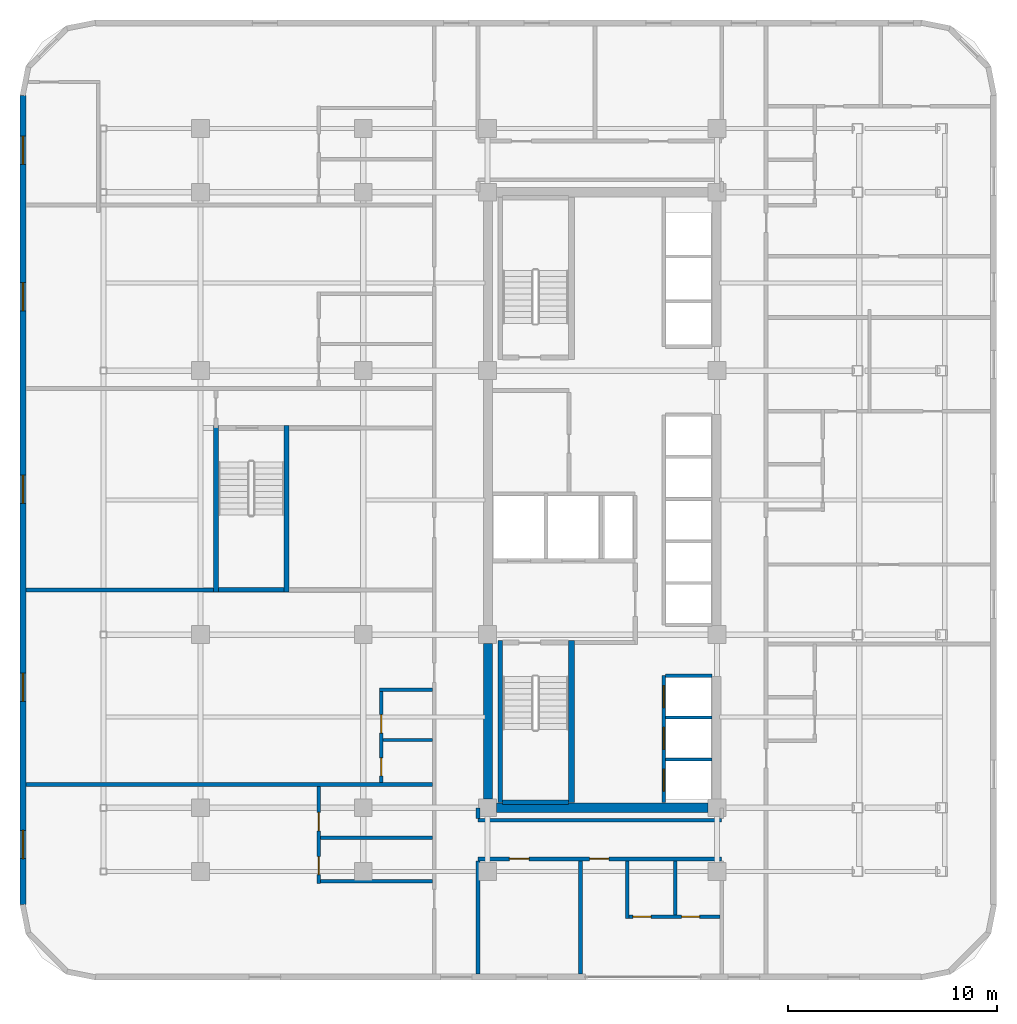
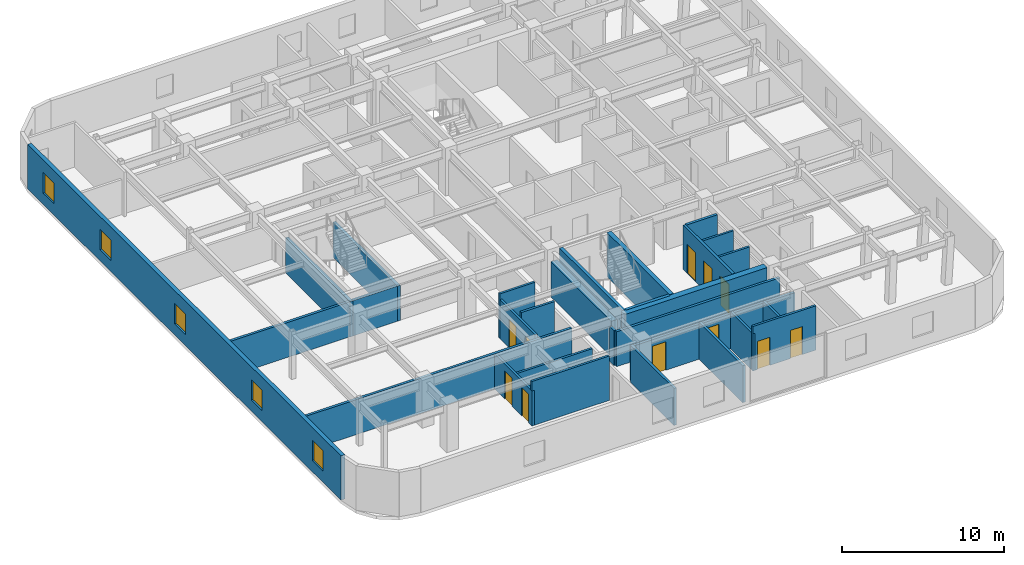
# One storey, part 8 of 13: 29 walls, 11 doors, 5 windows, 16 openings.
"""IFC4 building model written with IfcOpenShell, lengths in metres."""

from ifc_helpers import new_model, si_unit, direction, frame, frame_2d, origin, place, context, subcontext, project, spatial, rectangle, extrude, material, layer, layer_set, type_object, element, fill, save


model = new_model("IFC4")

# Units and contexts
model_context = context("Model", 3, precision=1e-05, world=origin(), true_north=direction((0.0, 1.0)))
body_context = subcontext(model_context, "Body", "Model", "MODEL_VIEW")
ifc_project = project(units=[si_unit("LENGTHUNIT", "METRE"), si_unit("AREAUNIT", "SQUARE_METRE"), si_unit("VOLUMEUNIT", "CUBIC_METRE"), si_unit("PLANEANGLEUNIT", "RADIAN"), si_unit("MASSUNIT", "GRAM", prefix="KILO")], contexts=[model_context])

# Site, building, storey
site_placement = place(None, origin())
site = spatial("IfcSite", under=ifc_project, at=site_placement, CompositionType="ELEMENT")
building_placement = place(site_placement, origin())
building = spatial("IfcBuilding", under=site, at=building_placement, Name="Ochreholt Gables", CompositionType="ELEMENT")
storey_placement = place(building_placement, frame((0.0, 0.0, 56.39990234375)))
storey = spatial("IfcBuildingStorey", under=building, at=storey_placement, Name="L14", CompositionType="ELEMENT", Elevation=56.39990234375)

# Walls
ifc_material_1 = material(Name="Concrete 60 MPa", Category="concrete")
ifc_layer_1 = layer(ifc_material_1, 0.449951171875, Name="Concrete 60 MPa")
ifc_layer_set_1 = layer_set([ifc_layer_1], Name="Concrete 60 MPa")
wall_type_1 = type_object("IfcWallType", Name="WALL-CSW-450", PredefinedType="SHEAR", material=ifc_layer_set_1)
wall_1_placement = place(storey_placement, frame((24.22509765625, 9.675048828125, 0.0), z_axis=(0.0, 0.0, 1.0), x_axis=(0.0, 1.0, 0.0)))
element("IfcWall", 1, at=wall_1_placement, inside=storey, type_object=wall_type_1, Name="L14 Core West Shear Wall WS", PredefinedType="SHEAR", context=body_context, shape_type="SweptSolid", body=[
    extrude(rectangle(XDim=7.449951171875, YDim=0.449951171875, at=frame_2d((3.72509765625, 0.0))), origin(), (0.0, 0.0, 1.0), 2.656982421875),
])
wall_2_placement = place(storey_placement, frame((24.625, 9.25, 0.0), z_axis=(0.0, 0.0, 1.0), x_axis=(1.0, 0.0, 0.0)))
element("IfcWall", 2, at=wall_2_placement, inside=storey, type_object=wall_type_1, Name="L14 Core South Shear Wall", PredefinedType="SHEAR", context=body_context, shape_type="SweptSolid", body=[
    extrude(rectangle(XDim=10.14990234375, YDim=0.449951171875, at=frame_2d((5.074951171875, 0.0))), origin(), (0.0, 0.0, 1.0), 3.35009765625),
])

# Wall, openings, windows
ifc_material_2 = material(Name="Precast concrete 40 MPa", Category="concrete")
ifc_layer_2 = layer(ifc_material_2, 0.2900390625, Name="Precast concrete 40 MPa")
ifc_layer_set_2 = layer_set([ifc_layer_2], Name="Precast concrete 40 MPa")
wall_type_2 = type_object("IfcWallType", Name="WALL-EXT-290", PredefinedType="SOLIDWALL", material=ifc_layer_set_2)
wall_3_placement = place(storey_placement, frame((1.945068359375, 43.3798828125, 0.0), z_axis=(0.0, 0.0, 1.0), x_axis=(0.0, -1.0, 0.0)))
wall_3 = element("IfcWall", 3, at=wall_3_placement, inside=storey, type_object=wall_type_2, Name="L14 West Exterior Wall", PredefinedType="SOLIDWALL", context=body_context, shape_type="SweptSolid", body=[
    extrude(rectangle(XDim=38.759765625, YDim=0.2900390625, at=frame_2d((19.3798828125, 0.0))), origin(), (0.0, 0.0, 1.0), 3.35009765625),
])
opening_1_placement = place(wall_3_placement, frame((35.21240234375, 0.0, 0.85009765625)))
opening_1 = element("IfcOpeningElement", 4, at=opening_1_placement, cuts=wall_3, Name="Opening WN-8", PredefinedType="OPENING", context=body_context, shape_type="SweptSolid", body=[
    extrude(rectangle(XDim=1.35009765625, YDim=1.550048828125, at=frame_2d((0.675048828125, 0.77490234375))), frame((0.0, 0.155029296875, 0.0), z_axis=(0.0, -1.0, 0.0), x_axis=(1.0, 0.0, 0.0)), (0.0, 0.0, 1.0), 0.31005859375),
])
opening_2_placement = place(wall_3_placement, frame((27.677490234375, 0.0, 0.85009765625)))
opening_2 = element("IfcOpeningElement", 5, at=opening_2_placement, cuts=wall_3, Name="Opening WN-8", PredefinedType="OPENING", context=body_context, shape_type="SweptSolid", body=[
    extrude(rectangle(XDim=1.35009765625, YDim=1.550048828125, at=frame_2d((0.675048828125, 0.77490234375))), frame((0.0, 0.155029296875, 0.0), z_axis=(0.0, -1.0, 0.0), x_axis=(1.0, 0.0, 0.0)), (0.0, 0.0, 1.0), 0.31005859375),
])
opening_3_placement = place(wall_3_placement, frame((18.18994140625, 0.0, 0.85009765625)))
opening_3 = element("IfcOpeningElement", 6, at=opening_3_placement, cuts=wall_3, Name="Opening WN-8", PredefinedType="OPENING", context=body_context, shape_type="SweptSolid", body=[
    extrude(rectangle(XDim=1.35009765625, YDim=1.550048828125, at=frame_2d((0.675048828125, 0.77490234375))), frame((0.0, 0.155029296875, 0.0), z_axis=(0.0, -1.0, 0.0), x_axis=(1.0, 0.0, 0.0)), (0.0, 0.0, 1.0), 0.31005859375),
])
opening_4_placement = place(wall_3_placement, frame((8.965087890625, 0.0, 0.85009765625)))
opening_4 = element("IfcOpeningElement", 7, at=opening_4_placement, cuts=wall_3, Name="Opening WN-8", PredefinedType="OPENING", context=body_context, shape_type="SweptSolid", body=[
    extrude(rectangle(XDim=1.35009765625, YDim=1.550048828125, at=frame_2d((0.675048828125, 0.77490234375))), frame((0.0, 0.155029296875, 0.0), z_axis=(0.0, -1.0, 0.0), x_axis=(1.0, 0.0, 0.0)), (0.0, 0.0, 1.0), 0.31005859375),
])
opening_5_placement = place(wall_3_placement, frame((1.945068359375, 0.0, 0.85009765625)))
opening_5 = element("IfcOpeningElement", 8, at=opening_5_placement, cuts=wall_3, Name="Opening WN-8", PredefinedType="OPENING", context=body_context, shape_type="SweptSolid", body=[
    extrude(rectangle(XDim=1.35009765625, YDim=1.550048828125, at=frame_2d((0.675048828125, 0.77490234375))), frame((0.0, 0.155029296875, 0.0), z_axis=(0.0, -1.0, 0.0), x_axis=(1.0, 0.0, 0.0)), (0.0, 0.0, 1.0), 0.31005859375),
])
ifc_material_3 = material(Name="Triple-Glazed Thermally Broken Aluminium Window", Category="aluminium")
window_type = type_object("IfcWindowType", Name="WIN-RES-1350", PartitioningType="SINGLE_PANEL", PredefinedType="WINDOW", material=ifc_material_3)
window_1_placement = place(opening_1_placement, origin())
window_1 = element("IfcWindow", 9, at=window_1_placement, inside=storey, type_object=window_type, Name="L14 Window W-EXT-W-L14-1", OverallHeight=1.550048828125, OverallWidth=1.35009765625, PartitioningType="SINGLE_PANEL", PredefinedType="WINDOW", context=body_context, shape_type="SweptSolid", body=[
    extrude(rectangle(XDim=1.35009765625, YDim=1.550048828125, at=frame_2d((0.675048828125, 0.77490234375))), frame((0.0, 0.030029296875, 0.0), z_axis=(0.0, -1.0, 0.0), x_axis=(1.0, 0.0, 0.0)), (0.0, 0.0, 1.0), 0.06005859375),
])
fill(opening_1, window_1)
window_2_placement = place(opening_2_placement, origin())
window_2 = element("IfcWindow", 10, at=window_2_placement, inside=storey, type_object=window_type, Name="L14 Window W-EXT-W-L14-2", OverallHeight=1.550048828125, OverallWidth=1.35009765625, PartitioningType="SINGLE_PANEL", PredefinedType="WINDOW", context=body_context, shape_type="SweptSolid", body=[
    extrude(rectangle(XDim=1.35009765625, YDim=1.550048828125, at=frame_2d((0.675048828125, 0.77490234375))), frame((0.0, 0.030029296875, 0.0), z_axis=(0.0, -1.0, 0.0), x_axis=(1.0, 0.0, 0.0)), (0.0, 0.0, 1.0), 0.06005859375),
])
fill(opening_2, window_2)
window_3_placement = place(opening_3_placement, origin())
window_3 = element("IfcWindow", 11, at=window_3_placement, inside=storey, type_object=window_type, Name="L14 Window W-EXT-W-L14-3", OverallHeight=1.550048828125, OverallWidth=1.35009765625, PartitioningType="SINGLE_PANEL", PredefinedType="WINDOW", context=body_context, shape_type="SweptSolid", body=[
    extrude(rectangle(XDim=1.35009765625, YDim=1.550048828125, at=frame_2d((0.675048828125, 0.77490234375))), frame((0.0, 0.030029296875, 0.0), z_axis=(0.0, -1.0, 0.0), x_axis=(1.0, 0.0, 0.0)), (0.0, 0.0, 1.0), 0.06005859375),
])
fill(opening_3, window_3)
window_4_placement = place(opening_4_placement, origin())
window_4 = element("IfcWindow", 12, at=window_4_placement, inside=storey, type_object=window_type, Name="L14 Window W-EXT-W-L14-4", OverallHeight=1.550048828125, OverallWidth=1.35009765625, PartitioningType="SINGLE_PANEL", PredefinedType="WINDOW", context=body_context, shape_type="SweptSolid", body=[
    extrude(rectangle(XDim=1.35009765625, YDim=1.550048828125, at=frame_2d((0.675048828125, 0.77490234375))), frame((0.0, 0.030029296875, 0.0), z_axis=(0.0, -1.0, 0.0), x_axis=(1.0, 0.0, 0.0)), (0.0, 0.0, 1.0), 0.06005859375),
])
fill(opening_4, window_4)
window_5_placement = place(opening_5_placement, origin())
window_5 = element("IfcWindow", 13, at=window_5_placement, inside=storey, type_object=window_type, Name="L14 Window W-EXT-W-L14-5", OverallHeight=1.550048828125, OverallWidth=1.35009765625, PartitioningType="SINGLE_PANEL", PredefinedType="WINDOW", context=body_context, shape_type="SweptSolid", body=[
    extrude(rectangle(XDim=1.35009765625, YDim=1.550048828125, at=frame_2d((0.675048828125, 0.77490234375))), frame((0.0, 0.030029296875, 0.0), z_axis=(0.0, -1.0, 0.0), x_axis=(1.0, 0.0, 0.0)), (0.0, 0.0, 1.0), 0.06005859375),
])
fill(opening_5, window_5)

# Wall, openings, doors
ifc_material_4 = material(Name="Fire-Rated Gypsum Acoustic Partition", Category="gypsum")
ifc_layer_3 = layer(ifc_material_4, 0.179931640625, Name="Fire-Rated Gypsum Acoustic Partition")
ifc_layer_set_3 = layer_set([ifc_layer_3], Name="Fire-Rated Gypsum Acoustic Partition")
wall_type_3 = type_object("IfcWallType", Name="WALL-INT-CR180", PredefinedType="STANDARD", material=ifc_layer_set_3)
wall_4_placement = place(storey_placement, frame((23.75, 6.800048828125, 0.0), z_axis=(0.0, 0.0, 1.0), x_axis=(1.0, 0.0, 0.0)))
wall_4 = element("IfcWall", 14, at=wall_4_placement, inside=storey, type_object=wall_type_3, Name="L14 Interior Wall WI-C1S-L14", PredefinedType="STANDARD", context=body_context, shape_type="SweptSolid", body=[
    extrude(rectangle(XDim=11.669921875, YDim=0.179931640625, at=frame_2d((5.8349609375, 0.0))), origin(), (0.0, 0.0, 1.0), 2.63916015625),
])
opening_6_placement = place(wall_4_placement, frame((1.5, 0.0, 0.0)))
opening_6 = element("IfcOpeningElement", 15, at=opening_6_placement, cuts=wall_4, Name="Opening D-GN1", PredefinedType="OPENING", context=body_context, shape_type="SweptSolid", body=[
    extrude(rectangle(XDim=0.949951171875, YDim=2.14990234375, at=frame_2d((0.47509765625, 1.074951171875))), frame((0.0, 0.099853515625, 0.0), z_axis=(0.0, -1.0, 0.0), x_axis=(1.0, 0.0, 0.0)), (0.0, 0.0, 1.0), 0.199951171875),
])
opening_7_placement = place(wall_4_placement, frame((5.34130859375, 0.0, 0.0)))
opening_7 = element("IfcOpeningElement", 16, at=opening_7_placement, cuts=wall_4, Name="Opening D-UN1", PredefinedType="OPENING", context=body_context, shape_type="SweptSolid", body=[
    extrude(rectangle(XDim=0.919921875, YDim=2.14990234375, at=frame_2d((0.4599609375, 1.074951171875))), frame((0.0, 0.099853515625, 0.0), z_axis=(0.0, -1.0, 0.0), x_axis=(1.0, 0.0, 0.0)), (0.0, 0.0, 1.0), 0.199951171875),
])
ifc_material_5 = material(Name="Engineered Oak Timber", Category="wood")
door_type_1 = type_object("IfcDoorType", Name="DR-INT-GEN950", OperationType="NOTDEFINED", PredefinedType="DOOR", material=ifc_material_5)
door_1_placement = place(opening_6_placement, origin())
door_1 = element("IfcDoor", 17, at=door_1_placement, inside=storey, type_object=door_type_1, Name="L14 Door D-C1SS-L14", OperationType="SINGLE_SWING_LEFT", OverallHeight=2.14990234375, OverallWidth=0.949951171875, PredefinedType="DOOR", context=body_context, shape_type="SweptSolid", body=[
    extrude(rectangle(XDim=0.949951171875, YDim=2.14990234375, at=frame_2d((0.47509765625, 1.074951171875))), frame((0.0, 0.02490234375, 0.0), z_axis=(0.0, -1.0, 0.0), x_axis=(1.0, 0.0, 0.0)), (0.0, 0.0, 1.0), 0.050048828125),
])
fill(opening_6, door_1)
door_type_2 = type_object("IfcDoorType", Name="DR-INT-UNT920", OperationType="NOTDEFINED", PredefinedType="DOOR", material=ifc_material_5)
door_2_placement = place(opening_7_placement, origin())
door_2 = element("IfcDoor", 18, at=door_2_placement, inside=storey, type_object=door_type_2, Name="L14 Door D-U-L14S1-ENT", OperationType="SINGLE_SWING_RIGHT", OverallHeight=2.14990234375, OverallWidth=0.919921875, PredefinedType="DOOR", context=body_context, shape_type="SweptSolid", body=[
    extrude(rectangle(XDim=0.919921875, YDim=2.14990234375, at=frame_2d((0.4599609375, 1.074951171875))), frame((0.0, 0.02490234375, 0.0), z_axis=(0.0, -1.0, 0.0), x_axis=(1.0, 0.0, 0.0)), (0.0, 0.0, 1.0), 0.050048828125),
])
fill(opening_7, door_2)

# Walls
wall_5_placement = place(storey_placement, frame((23.75, 8.64990234375, 0.0), z_axis=(0.0, 0.0, 1.0), x_axis=(1.0, 0.0, 0.0)))
element("IfcWall", 19, at=wall_5_placement, inside=storey, type_object=wall_type_3, Name="L14 Interior Wall WI-C1S2-L14", PredefinedType="STANDARD", context=body_context, shape_type="SweptSolid", body=[
    extrude(rectangle(XDim=11.669921875, YDim=0.179931640625, at=frame_2d((5.8349609375, 0.0))), origin(), (0.0, 0.0, 1.0), 2.63916015625),
])
wall_6_placement = place(storey_placement, frame((23.75, 8.739990234375, 0.0), z_axis=(0.0, 0.0, 1.0), x_axis=(0.0, 1.0, 0.0)))
element("IfcWall", 20, at=wall_6_placement, inside=storey, type_object=wall_type_3, Name="L14 Interior Wall WI-C1SWA2-L14", PredefinedType="STANDARD", context=body_context, shape_type="SweptSolid", body=[
    extrude(rectangle(XDim=0.510009765625, YDim=0.179931640625, at=frame_2d((0.2548828125, 0.0))), origin(), (0.0, 0.0, 1.0), 2.63916015625),
])
ifc_material_6 = material(Name="Double-Stud Acoustic Demising Wall", Category="gypsum")
ifc_layer_4 = layer(ifc_material_6, 0.179931640625, Name="Double-Stud Acoustic Demising Wall")
ifc_layer_set_4 = layer_set([ifc_layer_4], Name="Double-Stud Acoustic Demising Wall")
wall_type_4 = type_object("IfcWallType", Name="WALL-INT-DM180", PredefinedType="PARTITIONING", material=ifc_layer_set_4)
wall_7_placement = place(storey_placement, frame((2.090087890625, 10.364990234375, 0.0), z_axis=(0.0, 0.0, 1.0), x_axis=(1.0, 0.0, 0.0)))
element("IfcWall", 21, at=wall_7_placement, inside=storey, type_object=wall_type_4, Name="L14 Interior Wall WI-UDWS1-L14", PredefinedType="PARTITIONING", context=body_context, shape_type="SweptSolid", body=[
    extrude(rectangle(XDim=19.469970703125, YDim=0.179931640625, at=frame_2d((9.73486328125, 0.0))), origin(), (0.0, 0.0, 1.0), 2.63916015625),
])
wall_8_placement = place(storey_placement, frame((2.090087890625, 19.68994140625, 0.0), z_axis=(0.0, 0.0, 1.0), x_axis=(1.0, 0.0, 0.0)))
element("IfcWall", 22, at=wall_8_placement, inside=storey, type_object=wall_type_4, Name="L14 Interior Wall WI-UDWS2A-L14", PredefinedType="PARTITIONING", context=body_context, shape_type="SweptSolid", body=[
    extrude(rectangle(XDim=8.989990234375, YDim=0.179931640625, at=frame_2d((4.4951171875, 0.0))), origin(), (0.0, 0.0, 1.0), 2.63916015625),
])
for number, where, z_axis, x_axis, name in (
    (23, (23.75, 1.2900390625, 0.0), (0.0, 0.0, 1.0), (0.0, 1.0, 0.0), "L14 Interior Wall WI-C1SWA-L14"),
    (24, (28.6513671875, 1.2900390625, 0.0), (0.0, 0.0, 1.0), (0.0, 1.0, 0.0), "L14 Interior Wall WI-UDS1-L14"),
):
    element("IfcWall", number, at=place(storey_placement, frame(where, z_axis=z_axis, x_axis=x_axis)), inside=storey, type_object=wall_type_4, Name=name, PredefinedType="PARTITIONING", context=body_context, shape_type="SweptSolid", body=[
        extrude(rectangle(XDim=5.419921875, YDim=0.179931640625, at=frame_2d((2.7099609375, 0.0))), origin(), (0.0, 0.0, 1.0), 2.799072265625),
    ])
ifc_material_7 = material(Name="Moisture-Resistant Plumbing Chase Wall", Category="gypsum")
ifc_layer_5 = layer(ifc_material_7, 0.159912109375, Name="Moisture-Resistant Plumbing Chase Wall")
ifc_layer_set_5 = layer_set([ifc_layer_5], Name="Moisture-Resistant Plumbing Chase Wall")
wall_type_5 = type_object("IfcWallType", Name="WALL-INT-PL160", PredefinedType="PLUMBINGWALL", material=ifc_layer_set_5)
wall_9_placement = place(storey_placement, frame((16.030029296875, 5.72509765625, 0.0), z_axis=(0.0, 0.0, 1.0), x_axis=(1.0, 0.0, 0.0)))
element("IfcWall", 25, at=wall_9_placement, inside=storey, type_object=wall_type_5, Name="L14 Interior Wall WU-L14W1-WYS", PredefinedType="PLUMBINGWALL", context=body_context, shape_type="SweptSolid", body=[
    extrude(rectangle(XDim=5.530029296875, YDim=0.159912109375, at=frame_2d((2.76513671875, 0.0))), origin(), (0.0, 0.0, 1.0), 3.35009765625),
])

# Wall, openings, doors
wall_10_placement = place(storey_placement, frame((16.110107421875, 5.635009765625, 0.0), z_axis=(0.0, 0.0, 1.0), x_axis=(0.0, 1.0, 0.0)))
wall_10 = element("IfcWall", 26, at=wall_10_placement, inside=storey, type_object=wall_type_5, Name="L14 Interior Wall WU-L14W1-WX", PredefinedType="PLUMBINGWALL", context=body_context, shape_type="SweptSolid", body=[
    extrude(rectangle(XDim=4.639892578125, YDim=0.159912109375, at=frame_2d((2.31982421875, 0.0))), origin(), (0.0, 0.0, 1.0), 2.63916015625),
])
opening_8_placement = place(wall_10_placement, frame((0.419921875, 0.0, 0.0)))
opening_8 = element("IfcOpeningElement", 27, at=opening_8_placement, cuts=wall_10, Name="Opening D-BT1", PredefinedType="OPENING", context=body_context, shape_type="SweptSolid", body=[
    extrude(rectangle(XDim=0.860107421875, YDim=2.1201171875, at=frame_2d((0.43017578125, 1.06005859375))), frame((0.0, 0.08984375, 0.0), z_axis=(0.0, -1.0, 0.0), x_axis=(1.0, 0.0, 0.0)), (0.0, 0.0, 1.0), 0.179931640625),
])
opening_9_placement = place(wall_10_placement, frame((2.512939453125, 0.0, 0.0)))
opening_9 = element("IfcOpeningElement", 28, at=opening_9_placement, cuts=wall_10, Name="Opening D-GN2", PredefinedType="OPENING", context=body_context, shape_type="SweptSolid", body=[
    extrude(rectangle(XDim=0.8798828125, YDim=2.1201171875, at=frame_2d((0.43994140625, 1.06005859375))), frame((0.0, 0.08984375, 0.0), z_axis=(0.0, -1.0, 0.0), x_axis=(1.0, 0.0, 0.0)), (0.0, 0.0, 1.0), 0.179931640625),
])
door_type_3 = type_object("IfcDoorType", Name="DR-INT-BTH860", OperationType="NOTDEFINED", PredefinedType="DOOR", material=ifc_material_5)
door_3_placement = place(opening_8_placement, origin())
door_3 = element("IfcDoor", 29, at=door_3_placement, inside=storey, type_object=door_type_3, Name="L14 Door D-U-L14W1-BTH", OperationType="SINGLE_SWING_RIGHT", OverallHeight=2.1201171875, OverallWidth=0.860107421875, PredefinedType="DOOR", context=body_context, shape_type="SweptSolid", body=[
    extrude(rectangle(XDim=0.860107421875, YDim=2.1201171875, at=frame_2d((0.43017578125, 1.06005859375))), frame((0.0, 0.02490234375, 0.0), z_axis=(0.0, -1.0, 0.0), x_axis=(1.0, 0.0, 0.0)), (0.0, 0.0, 1.0), 0.050048828125),
])
fill(opening_8, door_3)
door_type_4 = type_object("IfcDoorType", Name="DR-INT-GEN880", OperationType="NOTDEFINED", PredefinedType="DOOR", material=ifc_material_5)
door_4_placement = place(opening_9_placement, origin())
door_4 = element("IfcDoor", 30, at=door_4_placement, inside=storey, type_object=door_type_4, Name="L14 Door D-U-L14W1-KIT", OperationType="SINGLE_SWING_LEFT", OverallHeight=2.1201171875, OverallWidth=0.8798828125, PredefinedType="DOOR", context=body_context, shape_type="SweptSolid", body=[
    extrude(rectangle(XDim=0.8798828125, YDim=2.1201171875, at=frame_2d((0.43994140625, 1.06005859375))), frame((0.0, 0.02490234375, 0.0), z_axis=(0.0, -1.0, 0.0), x_axis=(1.0, 0.0, 0.0)), (0.0, 0.0, 1.0), 0.050048828125),
])
fill(opening_9, door_4)

# Walls
wall_11_placement = place(storey_placement, frame((16.18994140625, 7.818115234375, 0.0), z_axis=(0.0, 0.0, 1.0), x_axis=(1.0, 0.0, 0.0)))
element("IfcWall", 31, at=wall_11_placement, inside=storey, type_object=wall_type_5, Name="L14 Interior Wall WU-L14W1-WM", PredefinedType="PLUMBINGWALL", context=body_context, shape_type="SweptSolid", body=[
    extrude(rectangle(XDim=5.3701171875, YDim=0.159912109375, at=frame_2d((2.68505859375, 0.0))), origin(), (0.0, 0.0, 1.0), 2.63916015625),
])
wall_12_placement = place(storey_placement, frame((19.030029296875, 14.905029296875, 0.0), z_axis=(0.0, 0.0, 1.0), x_axis=(1.0, 0.0, 0.0)))
element("IfcWall", 32, at=wall_12_placement, inside=storey, type_object=wall_type_5, Name="L14 Interior Wall WU-L14W2-WYN", PredefinedType="PLUMBINGWALL", context=body_context, shape_type="SweptSolid", body=[
    extrude(rectangle(XDim=2.530029296875, YDim=0.159912109375, at=frame_2d((1.26513671875, 0.0))), origin(), (0.0, 0.0, 1.0), 3.35009765625),
])

# Wall, openings, doors
wall_13_placement = place(storey_placement, frame((19.110107421875, 10.455078125, 0.0), z_axis=(0.0, 0.0, 1.0), x_axis=(0.0, 1.0, 0.0)))
wall_13 = element("IfcWall", 33, at=wall_13_placement, inside=storey, type_object=wall_type_5, Name="L14 Interior Wall WU-L14W2-WX", PredefinedType="PLUMBINGWALL", context=body_context, shape_type="SweptSolid", body=[
    extrude(rectangle(XDim=4.5400390625, YDim=0.159912109375, at=frame_2d((2.27001953125, 0.0))), origin(), (0.0, 0.0, 1.0), 2.922119140625),
])
opening_10_placement = place(wall_13_placement, frame((0.330078125, 0.0, 0.0)))
opening_10 = element("IfcOpeningElement", 34, at=opening_10_placement, cuts=wall_13, Name="Opening D-BT1", PredefinedType="OPENING", context=body_context, shape_type="SweptSolid", body=[
    extrude(rectangle(XDim=0.860107421875, YDim=2.1201171875, at=frame_2d((0.43017578125, 1.06005859375))), frame((0.0, 0.08984375, 0.0), z_axis=(0.0, -1.0, 0.0), x_axis=(1.0, 0.0, 0.0)), (0.0, 0.0, 1.0), 0.179931640625),
])
opening_11_placement = place(wall_13_placement, frame((2.376953125, 0.0, 0.0)))
opening_11 = element("IfcOpeningElement", 35, at=opening_11_placement, cuts=wall_13, Name="Opening D-GN2", PredefinedType="OPENING", context=body_context, shape_type="SweptSolid", body=[
    extrude(rectangle(XDim=0.8798828125, YDim=2.1201171875, at=frame_2d((0.43994140625, 1.06005859375))), frame((0.0, 0.08984375, 0.0), z_axis=(0.0, -1.0, 0.0), x_axis=(1.0, 0.0, 0.0)), (0.0, 0.0, 1.0), 0.179931640625),
])
door_5_placement = place(opening_10_placement, origin())
door_5 = element("IfcDoor", 36, at=door_5_placement, inside=storey, type_object=door_type_3, Name="L14 Door D-U-L14W2-BTH", OperationType="SINGLE_SWING_LEFT", OverallHeight=2.1201171875, OverallWidth=0.860107421875, PredefinedType="DOOR", context=body_context, shape_type="SweptSolid", body=[
    extrude(rectangle(XDim=0.860107421875, YDim=2.1201171875, at=frame_2d((0.43017578125, 1.06005859375))), frame((0.0, 0.02490234375, 0.0), z_axis=(0.0, -1.0, 0.0), x_axis=(1.0, 0.0, 0.0)), (0.0, 0.0, 1.0), 0.050048828125),
])
fill(opening_10, door_5)
door_6_placement = place(opening_11_placement, origin())
door_6 = element("IfcDoor", 37, at=door_6_placement, inside=storey, type_object=door_type_4, Name="L14 Door D-U-L14W2-KIT", OperationType="SINGLE_SWING_RIGHT", OverallHeight=2.1201171875, OverallWidth=0.8798828125, PredefinedType="DOOR", context=body_context, shape_type="SweptSolid", body=[
    extrude(rectangle(XDim=0.8798828125, YDim=2.1201171875, at=frame_2d((0.43994140625, 1.06005859375))), frame((0.0, 0.02490234375, 0.0), z_axis=(0.0, -1.0, 0.0), x_axis=(1.0, 0.0, 0.0)), (0.0, 0.0, 1.0), 0.050048828125),
])
fill(opening_11, door_6)

# Wall
wall_14_placement = place(storey_placement, frame((19.18994140625, 12.501953125, 0.0), z_axis=(0.0, 0.0, 1.0), x_axis=(1.0, 0.0, 0.0)))
element("IfcWall", 38, at=wall_14_placement, inside=storey, type_object=wall_type_5, Name="L14 Interior Wall WU-L14W2-WM", PredefinedType="PLUMBINGWALL", context=body_context, shape_type="SweptSolid", body=[
    extrude(rectangle(XDim=2.3701171875, YDim=0.159912109375, at=frame_2d((1.18505859375, 0.0))), origin(), (0.0, 0.0, 1.0), 3.35009765625),
])

# Wall, openings, doors
wall_15_placement = place(storey_placement, frame((30.811279296875, 4.030029296875, 0.0), z_axis=(0.0, 0.0, 1.0), x_axis=(1.0, 0.0, 0.0)))
wall_15 = element("IfcWall", 39, at=wall_15_placement, inside=storey, type_object=wall_type_5, Name="L14 Interior Wall WU-L14S1-WY", PredefinedType="PLUMBINGWALL", context=body_context, shape_type="SweptSolid", body=[
    extrude(rectangle(XDim=4.518798828125, YDim=0.159912109375, at=frame_2d((2.25927734375, 0.0))), origin(), (0.0, 0.0, 1.0), 3.35009765625),
])
opening_12_placement = place(wall_15_placement, frame((0.35009765625, 0.0, 0.0)))
opening_12 = element("IfcOpeningElement", 40, at=opening_12_placement, cuts=wall_15, Name="Opening D-GN2", PredefinedType="OPENING", context=body_context, shape_type="SweptSolid", body=[
    extrude(rectangle(XDim=0.8798828125, YDim=2.1201171875, at=frame_2d((0.43994140625, 1.06005859375))), frame((0.0, 0.08984375, 0.0), z_axis=(0.0, -1.0, 0.0), x_axis=(1.0, 0.0, 0.0)), (0.0, 0.0, 1.0), 0.179931640625),
])
opening_13_placement = place(wall_15_placement, frame((2.68798828125, 0.0, 0.0)))
opening_13 = element("IfcOpeningElement", 41, at=opening_13_placement, cuts=wall_15, Name="Opening D-BT1", PredefinedType="OPENING", context=body_context, shape_type="SweptSolid", body=[
    extrude(rectangle(XDim=0.860107421875, YDim=2.1201171875, at=frame_2d((0.43017578125, 1.06005859375))), frame((0.0, 0.08984375, 0.0), z_axis=(0.0, -1.0, 0.0), x_axis=(1.0, 0.0, 0.0)), (0.0, 0.0, 1.0), 0.179931640625),
])
door_7_placement = place(opening_13_placement, origin())
door_7 = element("IfcDoor", 42, at=door_7_placement, inside=storey, type_object=door_type_3, Name="L14 Door D-U-L14S1-BTH", OperationType="SINGLE_SWING_RIGHT", OverallHeight=2.1201171875, OverallWidth=0.860107421875, PredefinedType="DOOR", context=body_context, shape_type="SweptSolid", body=[
    extrude(rectangle(XDim=0.860107421875, YDim=2.1201171875, at=frame_2d((0.43017578125, 1.06005859375))), frame((0.0, 0.02490234375, 0.0), z_axis=(0.0, -1.0, 0.0), x_axis=(1.0, 0.0, 0.0)), (0.0, 0.0, 1.0), 0.050048828125),
])
fill(opening_13, door_7)
door_8_placement = place(opening_12_placement, origin())
door_8 = element("IfcDoor", 43, at=door_8_placement, inside=storey, type_object=door_type_4, Name="L14 Door D-U-L14S1-KIT", OperationType="SINGLE_SWING_LEFT", OverallHeight=2.1201171875, OverallWidth=0.8798828125, PredefinedType="DOOR", context=body_context, shape_type="SweptSolid", body=[
    extrude(rectangle(XDim=0.8798828125, YDim=2.1201171875, at=frame_2d((0.43994140625, 1.06005859375))), frame((0.0, 0.02490234375, 0.0), z_axis=(0.0, -1.0, 0.0), x_axis=(1.0, 0.0, 0.0)), (0.0, 0.0, 1.0), 0.050048828125),
])
fill(opening_12, door_8)

# Walls
wall_16_placement = place(storey_placement, frame((30.891357421875, 3.949951171875, 0.0), z_axis=(0.0, 0.0, 1.0), x_axis=(0.0, 1.0, 0.0)))
element("IfcWall", 44, at=wall_16_placement, inside=storey, type_object=wall_type_5, Name="L14 Interior Wall WU-L14S1-FY", PredefinedType="PLUMBINGWALL", context=body_context, shape_type="SweptSolid", body=[
    extrude(rectangle(XDim=2.760009765625, YDim=0.159912109375, at=frame_2d((1.3798828125, 0.0))), origin(), (0.0, 0.0, 1.0), 2.799072265625),
])
wall_17_placement = place(storey_placement, frame((33.199462890625, 4.110107421875, 0.0), z_axis=(0.0, 0.0, 1.0), x_axis=(0.0, 1.0, 0.0)))
element("IfcWall", 45, at=wall_17_placement, inside=storey, type_object=wall_type_5, Name="L14 Interior Wall WU-L14S1-WK", PredefinedType="PLUMBINGWALL", context=body_context, shape_type="SweptSolid", body=[
    extrude(rectangle(XDim=2.599853515625, YDim=0.159912109375, at=frame_2d((1.2998046875, 0.0))), origin(), (0.0, 0.0, 1.0), 2.799072265625),
])
ifc_material_8 = material(Name="Gypsum Shaftliner and Steel Stud", Category="steel")
ifc_layer_6 = layer(ifc_material_8, 0.14990234375, Name="Gypsum Shaftliner and Steel Stud")
ifc_layer_set_6 = layer_set([ifc_layer_6], Name="Gypsum Shaftliner and Steel Stud")
wall_type_6 = type_object("IfcWallType", Name="WALL-INT-SH150", PredefinedType="STANDARD", material=ifc_layer_set_6)
for number, where, z_axis, x_axis, name in (
    (46, (32.739990234375, 11.570068359375, 0.0), (0.0, 0.0, 1.0), (1.0, 0.0, 0.0), "L14 Interior Wall WI-LFL-D1-L14"),
    (47, (32.739990234375, 13.570068359375, 0.0), (0.0, 0.0, 1.0), (1.0, 0.0, 0.0), "L14 Interior Wall WI-LFL-D2-L14"),
):
    element("IfcWall", number, at=place(storey_placement, frame(where, z_axis=z_axis, x_axis=x_axis)), inside=storey, type_object=wall_type_6, Name=name, PredefinedType="STANDARD", context=body_context, shape_type="SweptSolid", body=[
        extrude(rectangle(XDim=2.2099609375, YDim=0.14990234375, at=frame_2d((1.10498046875, 0.0))), origin(), (0.0, 0.0, 1.0), 3.35009765625),
    ])

# Wall, openings, doors
ifc_layer_7 = layer(ifc_material_8, 0.179931640625, Name="Gypsum Shaftliner and Steel Stud")
ifc_layer_set_7 = layer_set([ifc_layer_7], Name="Gypsum Shaftliner and Steel Stud")
wall_type_7 = type_object("IfcWallType", Name="WALL-INT-SH180", PredefinedType="STANDARD", material=ifc_layer_set_7)
wall_18_placement = place(storey_placement, frame((32.64990234375, 9.5, 0.0), z_axis=(0.0, 0.0, 1.0), x_axis=(0.0, 1.0, 0.0)))
wall_18 = element("IfcWall", 48, at=wall_18_placement, inside=storey, type_object=wall_type_7, Name="L14 Interior Wall WI-LFL-FR-L14", PredefinedType="STANDARD", context=body_context, shape_type="SweptSolid", body=[
    extrude(rectangle(XDim=6.080078125, YDim=0.179931640625, at=frame_2d((3.0400390625, 0.0))), origin(), (0.0, 0.0, 1.0), 3.35009765625),
])
opening_14_placement = place(wall_18_placement, frame((0.550048828125, 0.0, 0.0)))
opening_14 = element("IfcOpeningElement", 49, at=opening_14_placement, cuts=wall_18, Name="Opening LD-PX", PredefinedType="OPENING", context=body_context, shape_type="SweptSolid", body=[
    extrude(rectangle(XDim=1.050048828125, YDim=2.199951171875, at=frame_2d((0.52490234375, 1.10009765625))), frame((0.0, 0.099853515625, 0.0), z_axis=(0.0, -1.0, 0.0), x_axis=(1.0, 0.0, 0.0)), (0.0, 0.0, 1.0), 0.199951171875),
])
opening_15_placement = place(wall_18_placement, frame((2.550048828125, 0.0, 0.0)))
opening_15 = element("IfcOpeningElement", 50, at=opening_15_placement, cuts=wall_18, Name="Opening LD-PX", PredefinedType="OPENING", context=body_context, shape_type="SweptSolid", body=[
    extrude(rectangle(XDim=1.050048828125, YDim=2.199951171875, at=frame_2d((0.52490234375, 1.10009765625))), frame((0.0, 0.099853515625, 0.0), z_axis=(0.0, -1.0, 0.0), x_axis=(1.0, 0.0, 0.0)), (0.0, 0.0, 1.0), 0.199951171875),
])
opening_16_placement = place(wall_18_placement, frame((4.550048828125, 0.0, 0.0)))
opening_16 = element("IfcOpeningElement", 51, at=opening_16_placement, cuts=wall_18, Name="Opening LD-PX", PredefinedType="OPENING", context=body_context, shape_type="SweptSolid", body=[
    extrude(rectangle(XDim=1.050048828125, YDim=2.199951171875, at=frame_2d((0.52490234375, 1.10009765625))), frame((0.0, 0.099853515625, 0.0), z_axis=(0.0, -1.0, 0.0), x_axis=(1.0, 0.0, 0.0)), (0.0, 0.0, 1.0), 0.199951171875),
])
ifc_material_9 = material(Name="Stainless Steel", Category="steel")
door_type_5 = type_object("IfcDoorType", Name="DR-LFT-PX1050", OperationType="NOTDEFINED", PredefinedType="DOOR", material=ifc_material_9)
door_9_placement = place(opening_14_placement, origin())
door_9 = element("IfcDoor", 52, at=door_9_placement, inside=storey, type_object=door_type_5, Name="L14 Door LD-L1-L14", OperationType="SLIDING_TO_LEFT", OverallHeight=2.199951171875, OverallWidth=1.050048828125, PredefinedType="DOOR", context=body_context, shape_type="SweptSolid", body=[
    extrude(rectangle(XDim=1.050048828125, YDim=2.199951171875, at=frame_2d((0.52490234375, 1.10009765625))), frame((0.0, 0.02490234375, 0.0), z_axis=(0.0, -1.0, 0.0), x_axis=(1.0, 0.0, 0.0)), (0.0, 0.0, 1.0), 0.050048828125),
])
fill(opening_14, door_9)
door_10_placement = place(opening_15_placement, origin())
door_10 = element("IfcDoor", 53, at=door_10_placement, inside=storey, type_object=door_type_5, Name="L14 Door LD-L2-L14", OperationType="SLIDING_TO_LEFT", OverallHeight=2.199951171875, OverallWidth=1.050048828125, PredefinedType="DOOR", context=body_context, shape_type="SweptSolid", body=[
    extrude(rectangle(XDim=1.050048828125, YDim=2.199951171875, at=frame_2d((0.52490234375, 1.10009765625))), frame((0.0, 0.02490234375, 0.0), z_axis=(0.0, -1.0, 0.0), x_axis=(1.0, 0.0, 0.0)), (0.0, 0.0, 1.0), 0.050048828125),
])
fill(opening_15, door_10)
door_11_placement = place(opening_16_placement, origin())
door_11 = element("IfcDoor", 54, at=door_11_placement, inside=storey, type_object=door_type_5, Name="L14 Door LD-L3-L14", OperationType="SLIDING_TO_LEFT", OverallHeight=2.199951171875, OverallWidth=1.050048828125, PredefinedType="DOOR", context=body_context, shape_type="SweptSolid", body=[
    extrude(rectangle(XDim=1.050048828125, YDim=2.199951171875, at=frame_2d((0.52490234375, 1.10009765625))), frame((0.0, 0.02490234375, 0.0), z_axis=(0.0, -1.0, 0.0), x_axis=(1.0, 0.0, 0.0)), (0.0, 0.0, 1.0), 0.050048828125),
])
fill(opening_16, door_11)

# Walls
wall_19_placement = place(storey_placement, frame((32.739990234375, 15.580078125, 0.0), z_axis=(0.0, 0.0, 1.0), x_axis=(1.0, 0.0, 0.0)))
element("IfcWall", 55, at=wall_19_placement, inside=storey, type_object=wall_type_7, Name="L14 Interior Wall WI-LFL-N-L14", PredefinedType="STANDARD", context=body_context, shape_type="SweptSolid", body=[
    extrude(rectangle(XDim=2.2099609375, YDim=0.179931640625, at=frame_2d((1.10498046875, 0.0))), origin(), (0.0, 0.0, 1.0), 3.35009765625),
])
ifc_layer_8 = layer(ifc_material_1, 0.300048828125, Name="Concrete 60 MPa")
ifc_layer_set_8 = layer_set([ifc_layer_8], Name="Concrete 60 MPa")
wall_type_8 = type_object("IfcWallType", Name="WALL-SPN-300", PredefinedType="SHEAR", material=ifc_layer_set_8)
wall_20_placement = place(storey_placement, frame((28.22998046875, 9.5, 0.0), z_axis=(0.0, 0.0, 1.0), x_axis=(0.0, 1.0, 0.0)))
element("IfcWall", 56, at=wall_20_placement, inside=storey, type_object=wall_type_8, Name="L14 Core South Spine Shear Wall", PredefinedType="SHEAR", context=body_context, shape_type="SweptSolid", body=[
    extrude(rectangle(XDim=7.760009765625, YDim=0.300048828125, at=frame_2d((3.8798828125, 0.0))), origin(), (0.0, 0.0, 1.0), 3.35009765625),
])
ifc_material_10 = material(Name="Concrete 50 MPa", Category="concrete")
ifc_layer_9 = layer(ifc_material_10, 0.219970703125, Name="Concrete 50 MPa")
ifc_layer_set_9 = layer_set([ifc_layer_9], Name="Concrete 50 MPa")
wall_type_9 = type_object("IfcWallType", Name="WALL-STW-220", PredefinedType="SHEAR", material=ifc_layer_set_9)
wall_21_placement = place(storey_placement, frame((24.81005859375, 9.5, 0.0), z_axis=(0.0, 0.0, 1.0), x_axis=(0.0, 1.0, 0.0)))
element("IfcWall", 57, at=wall_21_placement, inside=storey, type_object=wall_type_9, Name="L14 Exit Stair 1 West Wall", PredefinedType="SHEAR", context=body_context, shape_type="SweptSolid", body=[
    extrude(rectangle(XDim=7.760009765625, YDim=0.219970703125, at=frame_2d((3.8798828125, 0.0))), origin(), (0.0, 0.0, 1.0), 3.35009765625),
])
wall_22_placement = place(storey_placement, frame((24.919921875, 9.510009765625, 0.0), z_axis=(0.0, 0.0, 1.0), x_axis=(1.0, 0.0, 0.0)))
element("IfcWall", 58, at=wall_22_placement, inside=storey, type_object=wall_type_9, Name="L14 Exit Stair 1 South Wall", PredefinedType="SHEAR", context=body_context, shape_type="SweptSolid", body=[
    extrude(rectangle(XDim=3.16015625, YDim=0.219970703125, at=frame_2d((1.580078125, 0.0))), origin(), (0.0, 0.0, 1.0), 3.35009765625),
])
for number, where, z_axis, x_axis, name in (
    (59, (11.18994140625, 19.580078125, 0.0), (0.0, 0.0, 1.0), (0.0, 1.0, 0.0), "L14 Feature Stair ST-C1 West Wall"),
    (60, (14.570068359375, 19.580078125, 0.0), (0.0, 0.0, 1.0), (0.0, 1.0, 0.0), "L14 Feature Stair ST-C1 East Wall"),
):
    element("IfcWall", number, at=place(storey_placement, frame(where, z_axis=z_axis, x_axis=x_axis)), inside=storey, type_object=wall_type_9, Name=name, PredefinedType="SHEAR", context=body_context, shape_type="SweptSolid", body=[
        extrude(rectangle(XDim=7.97998046875, YDim=0.219970703125, at=frame_2d((3.989990234375, 0.0))), origin(), (0.0, 0.0, 1.0), 2.657470703125),
    ])
wall_23_placement = place(storey_placement, frame((11.300048828125, 19.68994140625, 0.0), z_axis=(0.0, 0.0, 1.0), x_axis=(1.0, 0.0, 0.0)))
element("IfcWall", 61, at=wall_23_placement, inside=storey, type_object=wall_type_9, Name="L14 Feature Stair ST-C1 South Wall", PredefinedType="SHEAR", context=body_context, shape_type="SweptSolid", body=[
    extrude(rectangle(XDim=3.159912109375, YDim=0.219970703125, at=frame_2d((1.580078125, 0.0))), origin(), (0.0, 0.0, 1.0), 2.657470703125),
])

save(model, "model.ifc")
